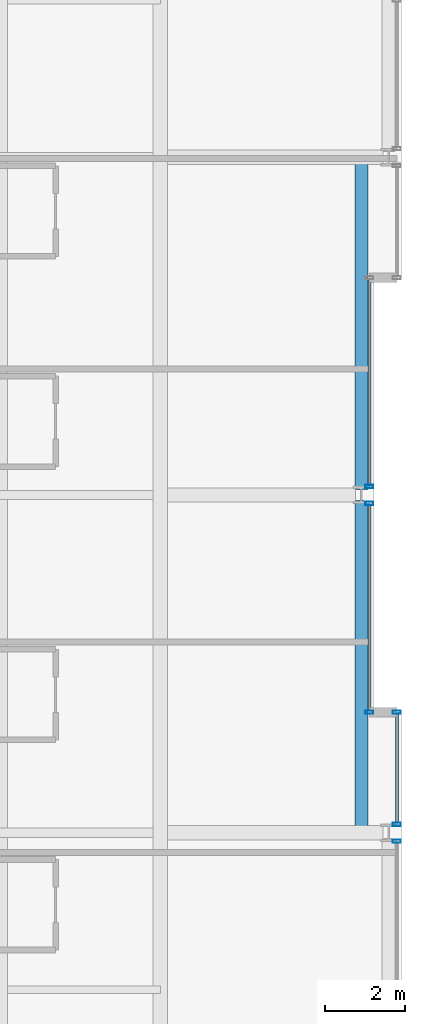
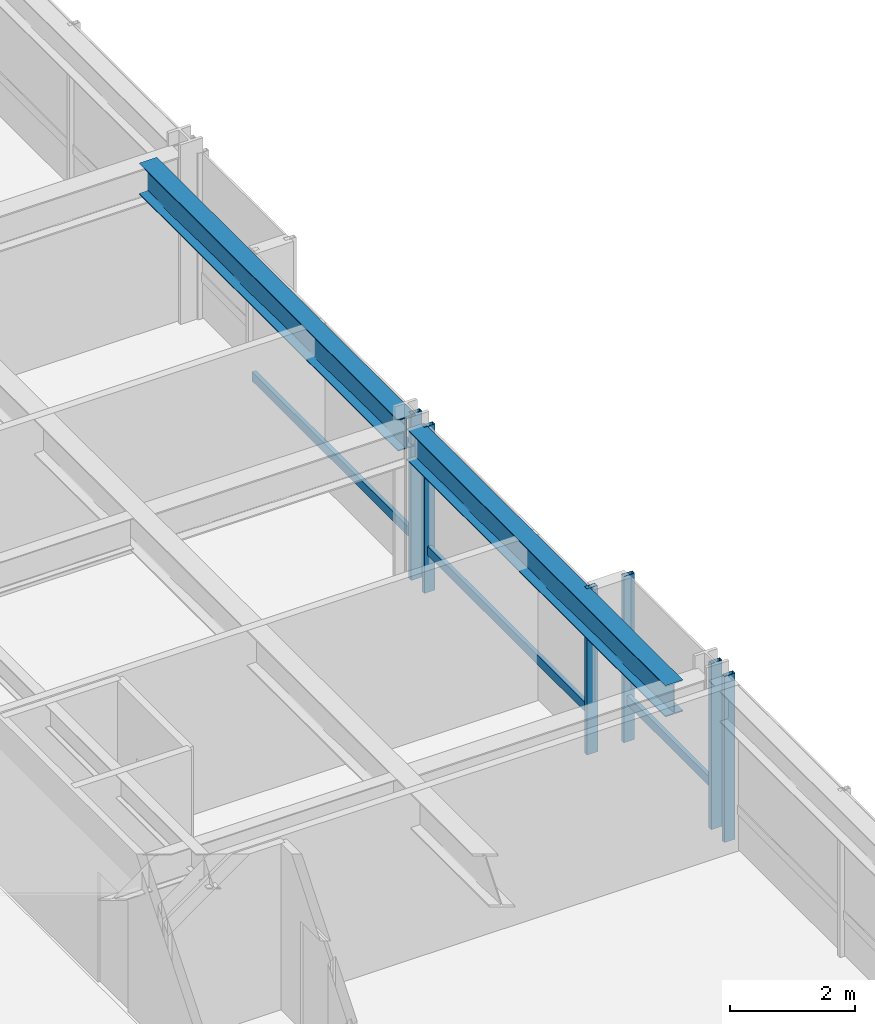
# One storey, part 15 of 34: 9 members, 2 beams, 4 elements without a shape of their own.
"""IFC4 building model written with IfcOpenShell, lengths in metres."""

from ifc_helpers import new_model, si_unit, direction, frame, origin, origin_2d, place, context, subcontext, project, spatial, hollow_rectangle, i_section, extrude, material, layer, layer_set, material_profile, profile_set, type_object, element, aggregate, save


model = new_model("IFC4")

# Units and contexts
model_context = context("Model", 3, precision=1e-05, world=origin(), true_north=direction((0.0, 1.0)))
body_context = subcontext(model_context, "Body", "Model", "MODEL_VIEW")
ifc_project = project(units=[si_unit("LENGTHUNIT", "METRE"), si_unit("AREAUNIT", "SQUARE_METRE"), si_unit("VOLUMEUNIT", "CUBIC_METRE"), si_unit("PLANEANGLEUNIT", "RADIAN"), si_unit("MASSUNIT", "GRAM", prefix="KILO")], contexts=[model_context])

# Site, building, storey
site_placement = place(None, origin())
site = spatial("IfcSite", under=ifc_project, at=site_placement, CompositionType="ELEMENT")
building_placement = place(site_placement, origin())
building = spatial("IfcBuilding", under=site, at=building_placement, Name="Drelvath Grand Hotel", CompositionType="ELEMENT")
storey_placement = place(building_placement, frame((0.0, 0.0, 126.800048828125)))
storey = spatial("IfcBuildingStorey", under=building, at=storey_placement, Name="L32", CompositionType="ELEMENT", Elevation=126.800048828125)

# Curtain wall, member
ifc_material_1 = material(Name="Champagne Bronze Anodised Aluminium Frame", Category="aluminium")
ifc_layer = layer(ifc_material_1, 0.199951171875)
ifc_layer_set = layer_set([ifc_layer], Name="Champagne Bronze Anodised Aluminium Frame")
curtain_wall_type = type_object("IfcCurtainWallType", Name="Stick Curtain Wall CW-03 Champagne Bronze Mid-Rise", PredefinedType="NOTDEFINED", material=ifc_layer_set)
curtain_wall_1_placement = place(storey_placement, origin())
curtain_wall_1 = element("IfcCurtainWall", 1, at=curtain_wall_1_placement, inside=storey, type_object=curtain_wall_type, Name="L32 CW-03 Curtain Wall CW03-L32-EM1", PredefinedType="NOTDEFINED")
ifc_material_profile_1 = material_profile(ifc_material_1, hollow_rectangle(XDim=0.074951171875, YDim=0.179931640625, WallThickness=0.0048828125, at=origin_2d()), Name="HSS180X75X5")
ifc_profile_set_1 = profile_set([ifc_material_profile_1], Name="Champagne Bronze Anodised Aluminium Frame")
member_type_1 = type_object("IfcMemberType", Name="Curtain Wall Horizontal Transom CW-03 HSS180X75X5", PredefinedType="USERDEFINED", material=ifc_profile_set_1)
member_1_placement = place(storey_placement, frame((21.39990234375, 26.75048828125, 0.81005859375), z_axis=(0.0, -1.0, 0.0), x_axis=(1.0, 0.0, 0.0)))
member_1 = element("IfcMember", 2, at=member_1_placement, type_object=member_type_1, Name="CW03-L32-EM1 Sill Transom", ObjectType="TRANSOM", PredefinedType="USERDEFINED", context=body_context, shape_type="SweptSolid", body=[
    extrude(hollow_rectangle(XDim=0.074951171875, YDim=0.179931640625, WallThickness=0.0048828125, at=origin_2d()), origin(), (0.0, 0.0, 1.0), 5.110595703125),
])

curtain_wall_2_placement = place(storey_placement, origin())
curtain_wall_2 = element("IfcCurtainWall", 3, at=curtain_wall_2_placement, inside=storey, type_object=curtain_wall_type, Name="L32 CW-03 Curtain Wall CW03-L32-EM2", PredefinedType="NOTDEFINED")
member_2_placement = place(storey_placement, frame((21.39990234375, 32.360107421875, 0.81005859375), z_axis=(0.0, -1.0, 0.0), x_axis=(1.0, 0.0, 0.0)))
member_2 = element("IfcMember", 4, at=member_2_placement, type_object=member_type_1, Name="CW03-L32-EM2 Sill Transom", ObjectType="TRANSOM", PredefinedType="USERDEFINED", context=body_context, shape_type="SweptSolid", body=[
    extrude(hollow_rectangle(XDim=0.074951171875, YDim=0.179931640625, WallThickness=0.0048828125, at=origin_2d()), origin(), (0.0, 0.0, 1.0), 5.110595703125),
])

curtain_wall_3_placement = place(storey_placement, origin())
curtain_wall_3 = element("IfcCurtainWall", 5, at=curtain_wall_3_placement, inside=storey, type_object=curtain_wall_type, Name="L32 CW-03 Curtain Wall CW03-L32-ES3", PredefinedType="NOTDEFINED")
member_3_placement = place(storey_placement, frame((22.080078125, 21.56005859375, 0.81005859375), z_axis=(0.0, -1.0, 0.0), x_axis=(1.0, 0.0, 0.0)))
member_3 = element("IfcMember", 6, at=member_3_placement, type_object=member_type_1, Name="CW03-L32-ES3 Sill Transom", ObjectType="TRANSOM", PredefinedType="USERDEFINED", context=body_context, shape_type="SweptSolid", body=[
    extrude(hollow_rectangle(XDim=0.074951171875, YDim=0.179931640625, WallThickness=0.0048828125, at=origin_2d()), origin(), (0.0, 0.0, 1.0), 2.710693359375),
])

# Member
ifc_material_profile_2 = material_profile(ifc_material_1, hollow_rectangle(XDim=0.080078125, YDim=0.199951171875, WallThickness=0.0048828125, at=origin_2d()), Name="HSS200X80X5")
ifc_profile_set_2 = profile_set([ifc_material_profile_2], Name="Champagne Bronze Anodised Aluminium Frame")
member_type_2 = type_object("IfcMemberType", Name="Curtain Wall Vertical Mullion CW-03 HSS200X80X5", PredefinedType="MULLION", material=ifc_profile_set_2)
member_4_placement = place(storey_placement, frame((21.39990234375, 26.79052734375, 0.0), z_axis=(0.0, 0.0, 1.0), x_axis=(0.0, 1.0, 0.0)))
member_4 = element("IfcMember", 7, at=member_4_placement, type_object=member_type_2, Name="CW03-L32-EM1 Mullion 1", PredefinedType="MULLION", context=body_context, shape_type="SweptSolid", body=[
    extrude(hollow_rectangle(XDim=0.080078125, YDim=0.199951171875, WallThickness=0.0048828125, at=origin_2d()), origin(), (0.0, 0.0, 1.0), 3.239990234375),
])

member_5_placement = place(storey_placement, frame((21.39990234375, 21.60009765625, 0.0), z_axis=(0.0, 0.0, 1.0), x_axis=(0.0, 1.0, 0.0)))
member_5 = element("IfcMember", 8, at=member_5_placement, type_object=member_type_2, Name="CW03-L32-EM1 Mullion 2", PredefinedType="MULLION", context=body_context, shape_type="SweptSolid", body=[
    extrude(hollow_rectangle(XDim=0.080078125, YDim=0.199951171875, WallThickness=0.0048828125, at=origin_2d()), origin(), (0.0, 0.0, 1.0), 3.239990234375),
])

aggregate(curtain_wall_1, [member_4, member_5, member_1])

member_6_placement = place(storey_placement, frame((21.39990234375, 27.20947265625, 0.0), z_axis=(0.0, 0.0, 1.0), x_axis=(0.0, 1.0, 0.0)))
member_6 = element("IfcMember", 9, at=member_6_placement, type_object=member_type_2, Name="CW03-L32-EM2 Mullion 2", PredefinedType="MULLION", context=body_context, shape_type="SweptSolid", body=[
    extrude(hollow_rectangle(XDim=0.080078125, YDim=0.199951171875, WallThickness=0.0048828125, at=origin_2d()), origin(), (0.0, 0.0, 1.0), 3.239990234375),
])

aggregate(curtain_wall_2, [member_6, member_2])

# Curtain wall, member
curtain_wall_4_placement = place(storey_placement, origin())
curtain_wall_4 = element("IfcCurtainWall", 10, at=curtain_wall_4_placement, inside=storey, type_object=curtain_wall_type, Name="L32 CW-03 Curtain Wall CW03-L32-ES2", PredefinedType="NOTDEFINED")
member_7_placement = place(storey_placement, frame((22.080078125, 18.390625, 0.0), z_axis=(0.0, 0.0, 1.0), x_axis=(0.0, 1.0, 0.0)))
member_7 = element("IfcMember", 11, at=member_7_placement, type_object=member_type_2, Name="CW03-L32-ES2 Mullion 1", PredefinedType="MULLION", context=body_context, shape_type="SweptSolid", body=[
    extrude(hollow_rectangle(XDim=0.080078125, YDim=0.199951171875, WallThickness=0.0048828125, at=origin_2d()), origin(), (0.0, 0.0, 1.0), 3.239990234375),
])
aggregate(curtain_wall_4, [member_7])

# Member
member_8_placement = place(storey_placement, frame((22.080078125, 21.60009765625, 0.0), z_axis=(0.0, 0.0, 1.0), x_axis=(0.0, 1.0, 0.0)))
member_8 = element("IfcMember", 12, at=member_8_placement, type_object=member_type_2, Name="CW03-L32-ES3 Mullion 1", PredefinedType="MULLION", context=body_context, shape_type="SweptSolid", body=[
    extrude(hollow_rectangle(XDim=0.080078125, YDim=0.199951171875, WallThickness=0.0048828125, at=origin_2d()), origin(), (0.0, 0.0, 1.0), 3.239990234375),
])

member_9_placement = place(storey_placement, frame((22.080078125, 18.809326171875, 0.0), z_axis=(0.0, 0.0, 1.0), x_axis=(0.0, 1.0, 0.0)))
member_9 = element("IfcMember", 13, at=member_9_placement, type_object=member_type_2, Name="CW03-L32-ES3 Mullion 2", PredefinedType="MULLION", context=body_context, shape_type="SweptSolid", body=[
    extrude(hollow_rectangle(XDim=0.080078125, YDim=0.199951171875, WallThickness=0.0048828125, at=origin_2d()), origin(), (0.0, 0.0, 1.0), 3.239990234375),
])

aggregate(curtain_wall_3, [member_8, member_9, member_3])

# Beams
ifc_material_2 = material(Name="Steel ASTM A992 Gr 50", Category="steel")
ifc_material_profile_3 = material_profile(ifc_material_2, i_section(OverallWidth=0.323974609375, OverallDepth=0.611083984375, WebThickness=0.0126953125, FlangeThickness=0.01904296875, FilletRadius=0.02197265625, at=origin_2d()), Name="W24X104")
ifc_profile_set_3 = profile_set([ifc_material_profile_3], Name="Steel ASTM A992 Gr 50")
beam_type = type_object("IfcBeamType", Name="Perimeter Spandrel Beam W24X104", PredefinedType="SPANDREL", material=ifc_profile_set_3)
for number, where, z_axis, x_axis, name in (
    (14, (21.199951171875, 18.60009765625, 2.934326171875), (0.0, 1.0, 0.0), (-1.0, 0.0, 0.0), "L32 Spandrel East Mid S"),
    (15, (21.199951171875, 27.139892578125, 2.934326171875), (0.0, 1.0, 0.0), (-1.0, 0.0, 0.0), "L32 Spandrel East Mid N"),
):
    element("IfcBeam", number, at=place(storey_placement, frame(where, z_axis=z_axis, x_axis=x_axis)), inside=storey, type_object=beam_type, Name=name, PredefinedType="SPANDREL", context=body_context, shape_type="SweptSolid", body=[
        extrude(i_section(OverallWidth=0.323974609375, OverallDepth=0.611083984375, WebThickness=0.0126953125, FlangeThickness=0.01904296875, FilletRadius=0.02197265625, at=origin_2d()), origin(), (0.0, 0.0, 1.0), 8.260009765625),
    ])

save(model, "model.ifc")
